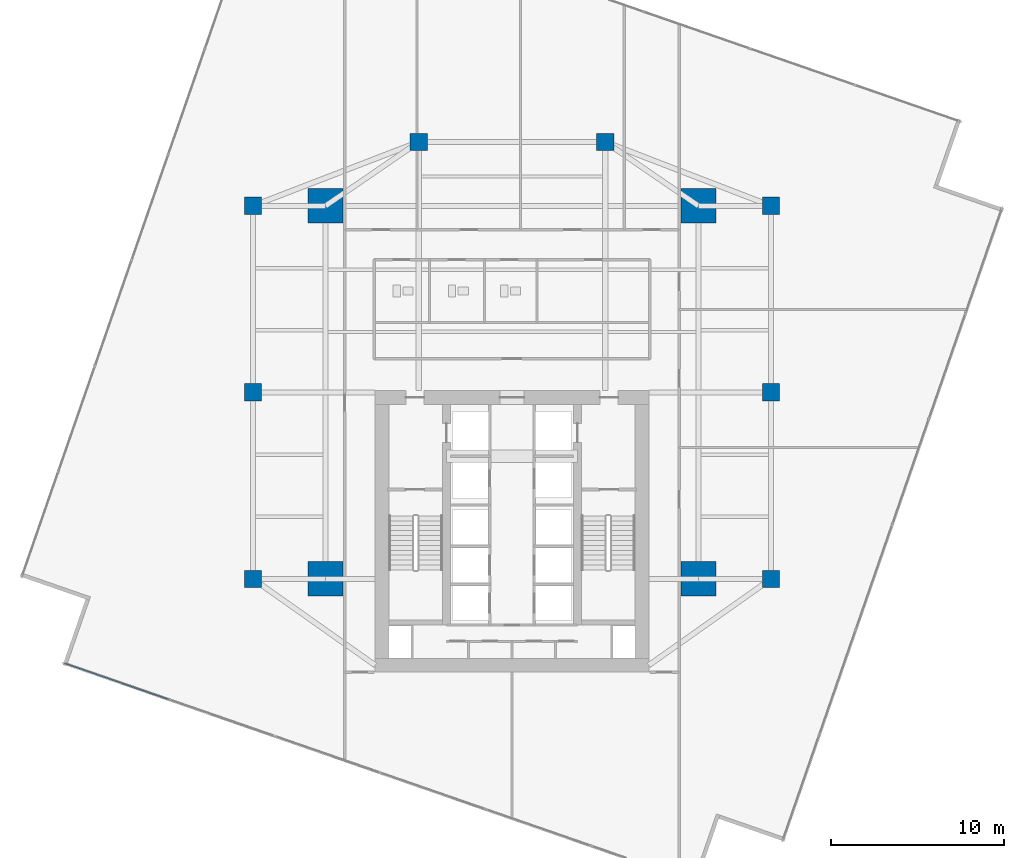
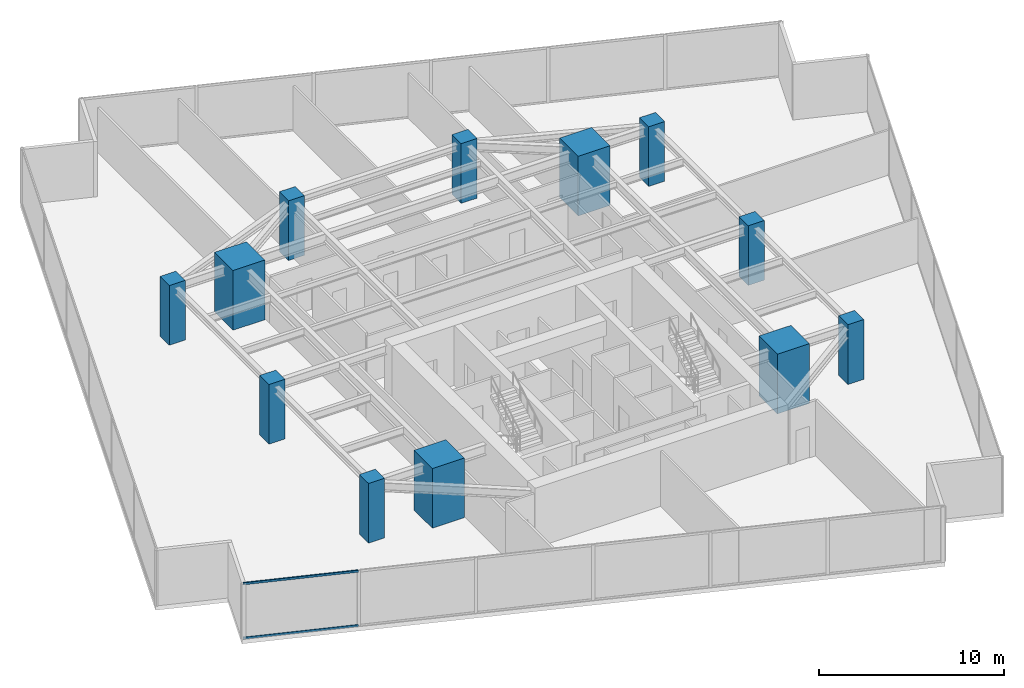
# One storey, part 1 of 27: 12 columns, 2 members, 1 element without a shape of its own.
"""IFC4 building model written with IfcOpenShell, lengths in metres."""

from ifc_helpers import new_model, si_unit, direction, frame, origin, origin_2d, place, context, subcontext, project, spatial, rectangle, hollow_rectangle, extrude, source, transform, mapped, material, material_profile, profile_set, type_object, type_shapes, element, aggregate, save


model = new_model("IFC4")

# Units and contexts
model_context = context("Model", 3, precision=1e-05, world=origin(), true_north=direction((0.0, 1.0)))
body_context = subcontext(model_context, "Body", "Model", "MODEL_VIEW")
ifc_project = project(units=[si_unit("LENGTHUNIT", "METRE"), si_unit("AREAUNIT", "SQUARE_METRE"), si_unit("VOLUMEUNIT", "CUBIC_METRE"), si_unit("PLANEANGLEUNIT", "RADIAN"), si_unit("MASSUNIT", "GRAM", prefix="KILO")], contexts=[model_context])

# Site, building, storey
site_placement = place(None, origin())
site = spatial("IfcSite", under=ifc_project, at=site_placement, CompositionType="ELEMENT")
building_placement = place(site_placement, origin())
building = spatial("IfcBuilding", under=site, at=building_placement, Name="Krantzveldt Concourse Tower", CompositionType="ELEMENT")
storey_placement = place(building_placement, frame((0.0, 0.0, 125.60009765625)))
storey = spatial("IfcBuildingStorey", under=building, at=storey_placement, Name="L30", CompositionType="ELEMENT", Elevation=125.60009765625)

# Columns
ifc_material_1 = material(Name="Concrete C60/75", Category="concrete")
ifc_material_profile_1 = material_profile(ifc_material_1, rectangle(XDim=2.0, YDim=2.0, at=origin_2d()), Name="Concrete C60/75", Category="concrete")
ifc_profile_set_1 = profile_set([ifc_material_profile_1], Name="Concrete C60/75 - RC 2000x2000")
column_type_1 = type_object("IfcColumnType", Name="COL-MC-2000", PredefinedType="USERDEFINED", material=ifc_profile_set_1)
shared_shape_1 = source(origin(), body_context, "Body", "SweptSolid", [
    extrude(rectangle(XDim=2.0, YDim=2.0, at=origin_2d()), origin(), (0.0, 0.0, 1.0), 3.949951171875),
])
type_shapes(column_type_1, [shared_shape_1])
for number, where, z_axis, x_axis, name in (
    (1, (25.199951171875, 15.89990234375, 0.0), (0.0, 0.0, 1.0), (1.0, 0.0, 0.0), "MC-SW-L30"),
    (2, (46.800048828125, 15.89990234375, 0.0), (0.0, 0.0, 1.0), (1.0, 0.0, 0.0), "MC-SE-L30"),
    (3, (46.800048828125, 37.5, 0.0), (0.0, 0.0, 1.0), (1.0, 0.0, 0.0), "MC-NE-L30"),
    (4, (25.199951171875, 37.5, 0.0), (0.0, 0.0, 1.0), (1.0, 0.0, 0.0), "MC-NW-L30"),
):
    element("IfcColumn", number, at=place(storey_placement, frame(where, z_axis=z_axis, x_axis=x_axis)), inside=storey, type_object=column_type_1, Name=name, ObjectType="MEGA COLUMN", PredefinedType="USERDEFINED", context=body_context, shape_type="MappedRepresentation", body=[
        mapped(shared_shape_1, transform((0.0, 0.0, 0.0), x_axis=(1.0, 0.0, 0.0), y_axis=(0.0, 1.0, 0.0), z_axis=(0.0, 0.0, 1.0), scale=1.0)),
    ])
ifc_material_profile_2 = material_profile(ifc_material_1, rectangle(XDim=1.0, YDim=1.0, at=origin_2d()), Name="Concrete C60/75", Category="concrete")
ifc_profile_set_2 = profile_set([ifc_material_profile_2], Name="Concrete C60/75 - RC 1000x1000")
column_type_2 = type_object("IfcColumnType", Name="COL-C-Z2", PredefinedType="COLUMN", material=ifc_profile_set_2)
shared_shape_2 = source(origin(), body_context, "Body", "SweptSolid", [
    extrude(rectangle(XDim=1.0, YDim=1.0, at=origin_2d()), origin(), (0.0, 0.0, 1.0), 3.949951171875),
])
type_shapes(column_type_2, [shared_shape_2])
for number, where, z_axis, x_axis, name in (
    (5, (21.0, 15.89990234375, 0.0), (0.0, 0.0, 1.0), (1.0, 0.0, 0.0), "PC-R01-L30"),
    (6, (21.0, 26.699951171875, 0.0), (0.0, 0.0, 1.0), (1.0, 0.0, 0.0), "PC-R02-L30"),
    (7, (21.0, 37.5, 0.0), (0.0, 0.0, 1.0), (1.0, 0.0, 0.0), "PC-R03-L30"),
    (8, (30.60009765625, 41.199951171875, 0.0), (0.0, 0.0, 1.0), (1.0, 0.0, 0.0), "PC-R04-L30"),
    (9, (41.39990234375, 41.199951171875, 0.0), (0.0, 0.0, 1.0), (1.0, 0.0, 0.0), "PC-R05-L30"),
    (10, (51.0, 37.5, 0.0), (0.0, 0.0, 1.0), (1.0, 0.0, 0.0), "PC-R06-L30"),
    (11, (51.0, 26.699951171875, 0.0), (0.0, 0.0, 1.0), (1.0, 0.0, 0.0), "PC-R07-L30"),
    (12, (51.0, 15.89990234375, 0.0), (0.0, 0.0, 1.0), (1.0, 0.0, 0.0), "PC-R08-L30"),
):
    element("IfcColumn", number, at=place(storey_placement, frame(where, z_axis=z_axis, x_axis=x_axis)), inside=storey, type_object=column_type_2, Name=name, PredefinedType="COLUMN", context=body_context, shape_type="MappedRepresentation", body=[
        mapped(shared_shape_2, transform((0.0, 0.0, 0.0), x_axis=(1.0, 0.0, 0.0), y_axis=(0.0, 1.0, 0.0), z_axis=(0.0, 0.0, 1.0), scale=1.0)),
    ])

# Curtain wall, members
ifc_material_2 = material(Name="Anodised aluminium 6063-T6", Category="aluminium")
curtain_wall_type = type_object("IfcCurtainWallType", Name="CW2", PredefinedType="USERDEFINED", material=ifc_material_2)
curtain_wall_placement = place(storey_placement, origin())
curtain_wall = element("IfcCurtainWall", 13, at=curtain_wall_placement, inside=storey, type_object=curtain_wall_type, Name="CW-L30-F04", ObjectType="UNITISED CURTAIN WALL", PredefinedType="USERDEFINED")
ifc_material_profile_3 = material_profile(ifc_material_2, hollow_rectangle(XDim=0.070068359375, YDim=0.139892578125, WallThickness=0.0048828125, at=origin_2d()), Name="Anodised aluminium 6063-T6", Category="aluminium")
ifc_profile_set_3 = profile_set([ifc_material_profile_3], Name="Anodised aluminium 6063-T6 - ALU-TRAN 140x70x5")
member_type = type_object("IfcMemberType", Name="CW-TRN-150", PredefinedType="USERDEFINED", material=ifc_profile_set_3)
shared_shape_3 = source(origin(), body_context, "Body", "SweptSolid", [
    extrude(hollow_rectangle(XDim=0.070068359375, YDim=0.139892578125, WallThickness=0.0048828125, at=origin_2d()), origin(), (0.0, 0.0, 1.0), 6.361572265625),
])
type_shapes(member_type, [shared_shape_3])
member_1_placement = place(storey_placement, frame((10.099853515625, 11.009765625, 0.034912109375), z_axis=(0.944795652423, -0.327660151931, 0.0), x_axis=(0.327660151931, 0.944795652423, 0.0)))
member_1 = element("IfcMember", 14, at=member_1_placement, type_object=member_type, Name="CW-Z12 transom 1.1", ObjectType="TRANSOM", PredefinedType="USERDEFINED", context=body_context, shape_type="MappedRepresentation", body=[
    mapped(shared_shape_3, transform((0.0, 0.0, 0.0), x_axis=(1.0, 0.0, 0.0), y_axis=(0.0, 1.0, 0.0), z_axis=(0.0, 0.0, 1.0), scale=1.0)),
])
member_2_placement = place(storey_placement, frame((10.099853515625, 11.009765625, 3.635009765625), z_axis=(0.944795652423, -0.327660151931, 0.0), x_axis=(0.327660151931, 0.944795652423, 0.0)))
member_2 = element("IfcMember", 15, at=member_2_placement, type_object=member_type, Name="CW-Z12 transom 1.2", ObjectType="TRANSOM", PredefinedType="USERDEFINED", context=body_context, shape_type="MappedRepresentation", body=[
    mapped(shared_shape_3, transform((0.0, 0.0, 0.0), x_axis=(1.0, 0.0, 0.0), y_axis=(0.0, 1.0, 0.0), z_axis=(0.0, 0.0, 1.0), scale=1.0)),
])
aggregate(curtain_wall, [member_1, member_2])

save(model, "model.ifc")
